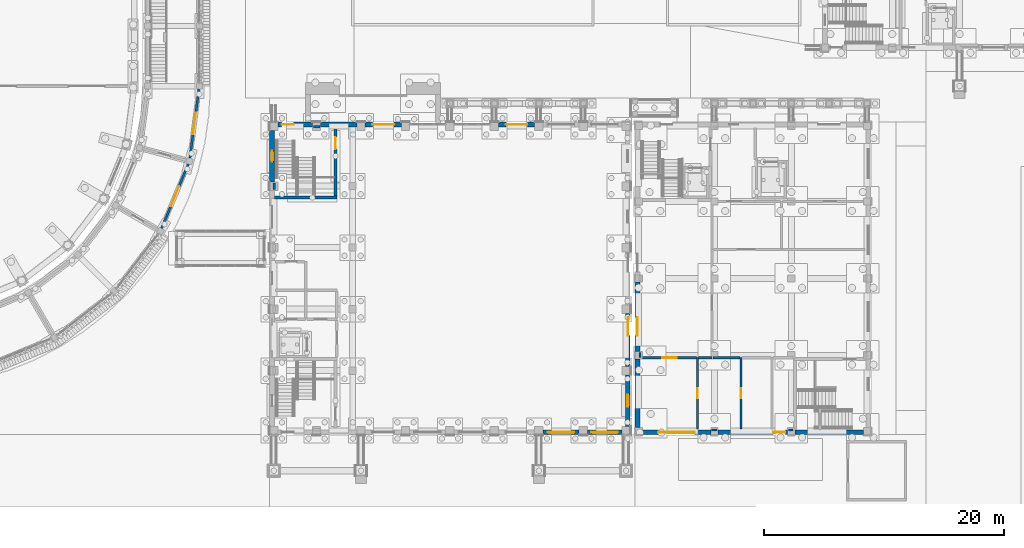
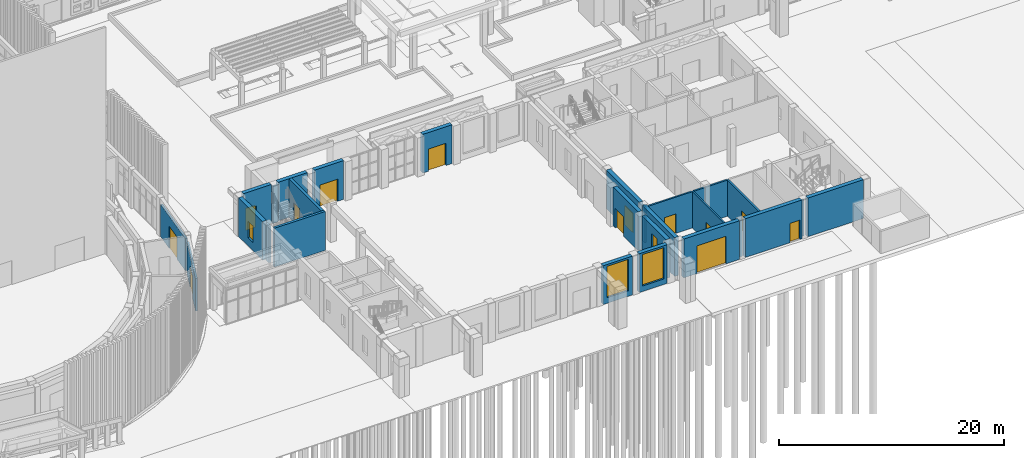
# One storey, part 64 of 112: 28 walls, 13 doors, 4 windows, 17 openings.
"""IFC4 building model written with IfcOpenShell, lengths in metres."""

from ifc_helpers import new_model, si_unit, direction, frame, frame_2d, origin, place, context, subcontext, project, spatial, rectangle, extrude, material, layer, layer_set, type_object, element, fill, save


model = new_model("IFC4")

# Units and contexts
model_context = context("Model", 3, precision=1e-05, world=origin(), true_north=direction((0.0, 1.0)))
body_context = subcontext(model_context, "Body", "Model", "MODEL_VIEW")
ifc_project = project(units=[si_unit("LENGTHUNIT", "METRE"), si_unit("AREAUNIT", "SQUARE_METRE"), si_unit("VOLUMEUNIT", "CUBIC_METRE"), si_unit("PLANEANGLEUNIT", "RADIAN"), si_unit("MASSUNIT", "GRAM", prefix="KILO")], contexts=[model_context])

# Site, building, storey
site_placement = place(None, origin())
site = spatial("IfcSite", under=ifc_project, at=site_placement, CompositionType="ELEMENT")
building_placement = place(site_placement, origin())
building = spatial("IfcBuilding", under=site, at=building_placement, Name="Wasatch Bagh Community Centre", CompositionType="ELEMENT")
storey_placement = place(building_placement, origin())
storey = spatial("IfcBuildingStorey", under=building, at=storey_placement, Name="L00", CompositionType="ELEMENT", Elevation=0.0)

# Wall, opening, door
ifc_material_1 = material(Name="Concrete C40", Category="concrete")
ifc_layer_1 = layer(ifc_material_1, 0.25)
ifc_layer_set_1 = layer_set([ifc_layer_1], Name="Concrete C40")
wall_type_1 = type_object("IfcWallType", Name="DH RC WALL 250 shear", PredefinedType="SHEAR", material=ifc_layer_set_1)
wall_1_placement = place(storey_placement, frame((71.47509765625, 25.85009765625, 0.0), z_axis=(0.0, 0.0, 1.0), x_axis=(0.0, 1.0, 0.0)))
wall_1 = element("IfcWall", 1, at=wall_1_placement, inside=storey, type_object=wall_type_1, Name="DH.core.ST7.L00.E", PredefinedType="SHEAR", context=body_context, shape_type="SweptSolid", body=[
    extrude(rectangle(XDim=5.75, YDim=0.25, at=frame_2d((2.875, 0.0))), origin(), (0.0, 0.0, 1.0), 4.199951171875),
])
opening_1_placement = place(wall_1_placement, frame((3.914306640625, 0.0, 0.0)))
opening_1 = element("IfcOpeningElement", 2, at=opening_1_placement, cuts=wall_1, Name="Opening 0D-15", PredefinedType="OPENING", context=body_context, shape_type="SweptSolid", body=[
    extrude(rectangle(XDim=1.0, YDim=2.10009765625, at=frame_2d((0.5, 1.050048828125))), frame((0.0, 0.135009765625, 0.0), z_axis=(0.0, -1.0, 0.0), x_axis=(1.0, 0.0, 0.0)), (0.0, 0.0, 1.0), 0.27001953125),
])
ifc_material_2 = material(Name="Painted hardwood timber", Category="wood")
door_type_1 = type_object("IfcDoorType", Name="DH door 1000x2100 single", OperationType="SINGLE_SWING_LEFT", PredefinedType="DOOR", material=ifc_material_2)
door_1_placement = place(opening_1_placement, origin())
door_1 = element("IfcDoor", 3, at=door_1_placement, inside=storey, type_object=door_type_1, Name="DH.door.L00.0D-15", OperationType="SINGLE_SWING_LEFT", OverallHeight=2.10009765625, OverallWidth=1.0, PredefinedType="DOOR", context=body_context, shape_type="SweptSolid", body=[
    extrude(rectangle(XDim=1.0, YDim=2.10009765625, at=frame_2d((0.5, 1.050048828125))), frame((0.0, 0.02490234375, 0.0), z_axis=(0.0, -1.0, 0.0), x_axis=(1.0, 0.0, 0.0)), (0.0, 0.0, 1.0), 0.050048828125),
])
fill(opening_1, door_1)

# Wall
wall_2_placement = place(storey_placement, frame((66.39990234375, 25.72509765625, 0.0), z_axis=(0.0, 0.0, 1.0), x_axis=(1.0, 0.0, 0.0)))
element("IfcWall", 4, at=wall_2_placement, inside=storey, type_object=wall_type_1, Name="DH.core.ST7.L00.S", PredefinedType="SHEAR", context=body_context, shape_type="SweptSolid", body=[
    extrude(rectangle(XDim=5.2001953125, YDim=0.25, at=frame_2d((2.60009765625, 0.0))), origin(), (0.0, 0.0, 1.0), 4.199951171875),
])

# Wall, opening, window
ifc_layer_2 = layer(ifc_material_1, 0.39990234375)
ifc_layer_set_2 = layer_set([ifc_layer_2], Name="Concrete C40")
wall_type_2 = type_object("IfcWallType", Name="DH RC WALL 400 solidwall", PredefinedType="SOLIDWALL", material=ifc_layer_set_2)
wall_3_placement = place(storey_placement, frame((91.75, 6.199951171875, 0.0), z_axis=(0.0, 0.0, 1.0), x_axis=(-1.0, 0.0, 0.0)))
wall_3 = element("IfcWall", 5, at=wall_3_placement, inside=storey, type_object=wall_type_2, Name="DH.wall.L00.07", PredefinedType="SOLIDWALL", context=body_context, shape_type="SweptSolid", body=[
    extrude(rectangle(XDim=3.0, YDim=0.39990234375, at=frame_2d((1.5, 0.0))), origin(), (0.0, 0.0, 1.0), 4.199951171875),
])
opening_2_placement = place(wall_3_placement, frame((0.39990234375, 0.0, 0.60009765625)))
opening_2 = element("IfcOpeningElement", 6, at=opening_2_placement, cuts=wall_3, Name="Opening 0D-W03", PredefinedType="OPENING", context=body_context, shape_type="SweptSolid", body=[
    extrude(rectangle(XDim=2.199951171875, YDim=3.39990234375, at=frame_2d((1.10009765625, 1.699951171875))), frame((0.0, 0.2099609375, 0.0), z_axis=(0.0, -1.0, 0.0), x_axis=(1.0, 0.0, 0.0)), (0.0, 0.0, 1.0), 0.419921875),
])
ifc_material_3 = material(Name="Aluminium frame with double glazing", Category="aluminium")
window_type_1 = type_object("IfcWindowType", Name="DH window 2200x3400", PartitioningType="SINGLE_PANEL", PredefinedType="WINDOW", material=ifc_material_3)
window_1_placement = place(opening_2_placement, origin())
window_1 = element("IfcWindow", 7, at=window_1_placement, inside=storey, type_object=window_type_1, Name="DH.window.L00.0D-W03", OverallHeight=3.39990234375, OverallWidth=2.199951171875, PartitioningType="SINGLE_PANEL", PredefinedType="WINDOW", context=body_context, shape_type="SweptSolid", body=[
    extrude(rectangle(XDim=2.199951171875, YDim=3.39990234375, at=frame_2d((1.10009765625, 1.699951171875))), frame((0.0, 0.030029296875, 0.0), z_axis=(0.0, -1.0, 0.0), x_axis=(1.0, 0.0, 0.0)), (0.0, 0.0, 1.0), 0.06005859375),
])
fill(opening_2, window_1)

wall_4_placement = place(storey_placement, frame((95.300048828125, 6.199951171875, 0.0), z_axis=(0.0, 0.0, 1.0), x_axis=(-1.0, 0.0, 0.0)))
wall_4 = element("IfcWall", 8, at=wall_4_placement, inside=storey, type_object=wall_type_2, Name="DH.wall.L00.08", PredefinedType="SOLIDWALL", context=body_context, shape_type="SweptSolid", body=[
    extrude(rectangle(XDim=2.85009765625, YDim=0.39990234375, at=frame_2d((1.425048828125, 0.0))), origin(), (0.0, 0.0, 1.0), 4.199951171875),
])
opening_3_placement = place(wall_4_placement, frame((0.324951171875, 0.0, 0.60009765625)))
opening_3 = element("IfcOpeningElement", 9, at=opening_3_placement, cuts=wall_4, Name="Opening 0D-W04", PredefinedType="OPENING", context=body_context, shape_type="SweptSolid", body=[
    extrude(rectangle(XDim=2.199951171875, YDim=3.39990234375, at=frame_2d((1.10009765625, 1.699951171875))), frame((0.0, 0.2099609375, 0.0), z_axis=(0.0, -1.0, 0.0), x_axis=(1.0, 0.0, 0.0)), (0.0, 0.0, 1.0), 0.419921875),
])
window_2_placement = place(opening_3_placement, origin())
window_2 = element("IfcWindow", 10, at=window_2_placement, inside=storey, type_object=window_type_1, Name="DH.window.L00.0D-W04", OverallHeight=3.39990234375, OverallWidth=2.199951171875, PartitioningType="SINGLE_PANEL", PredefinedType="WINDOW", context=body_context, shape_type="SweptSolid", body=[
    extrude(rectangle(XDim=2.199951171875, YDim=3.39990234375, at=frame_2d((1.10009765625, 1.699951171875))), frame((0.0, 0.030029296875, 0.0), z_axis=(0.0, -1.0, 0.0), x_axis=(1.0, 0.0, 0.0)), (0.0, 0.0, 1.0), 0.06005859375),
])
fill(opening_3, window_2)

# Wall, opening, door
wall_5_placement = place(storey_placement, frame((66.699951171875, 31.800048828125, 0.0), z_axis=(0.0, 0.0, 1.0), x_axis=(1.0, 0.0, 0.0)))
wall_5 = element("IfcWall", 11, at=wall_5_placement, inside=storey, type_object=wall_type_2, Name="DH.wall.L00.09", PredefinedType="SOLIDWALL", context=body_context, shape_type="SweptSolid", body=[
    extrude(rectangle(XDim=2.85009765625, YDim=0.39990234375, at=frame_2d((1.425048828125, 0.0))), origin(), (0.0, 0.0, 1.0), 4.199951171875),
])
opening_4_placement = place(wall_5_placement, frame((0.300048828125, 0.0, 0.0)))
opening_4 = element("IfcOpeningElement", 12, at=opening_4_placement, cuts=wall_5, Name="Opening 0D-06", PredefinedType="OPENING", context=body_context, shape_type="SweptSolid", body=[
    extrude(rectangle(XDim=1.0, YDim=2.39990234375, at=frame_2d((0.5, 1.199951171875))), frame((0.0, 0.2099609375, 0.0), z_axis=(0.0, -1.0, 0.0), x_axis=(1.0, 0.0, 0.0)), (0.0, 0.0, 1.0), 0.419921875),
])
door_type_2 = type_object("IfcDoorType", Name="DH door 1000x2400 single", OperationType="SINGLE_SWING_LEFT", PredefinedType="DOOR", material=ifc_material_2)
door_2_placement = place(opening_4_placement, origin())
door_2 = element("IfcDoor", 13, at=door_2_placement, inside=storey, type_object=door_type_2, Name="DH.door.L00.0D-06", OperationType="SINGLE_SWING_LEFT", OverallHeight=2.39990234375, OverallWidth=1.0, PredefinedType="DOOR", context=body_context, shape_type="SweptSolid", body=[
    extrude(rectangle(XDim=1.0, YDim=2.39990234375, at=frame_2d((0.5, 1.199951171875))), frame((0.0, 0.02490234375, 0.0), z_axis=(0.0, -1.0, 0.0), x_axis=(1.0, 0.0, 0.0)), (0.0, 0.0, 1.0), 0.050048828125),
])
fill(opening_4, door_2)

# Wall
wall_6_placement = place(storey_placement, frame((70.25, 31.800048828125, 0.0), z_axis=(0.0, 0.0, 1.0), x_axis=(1.0, 0.0, 0.0)))
element("IfcWall", 14, at=wall_6_placement, inside=storey, type_object=wall_type_2, Name="DH.wall.L00.10", PredefinedType="SOLIDWALL", context=body_context, shape_type="SweptSolid", body=[
    extrude(rectangle(XDim=3.0, YDim=0.39990234375, at=frame_2d((1.5, 0.0))), origin(), (0.0, 0.0, 1.0), 4.199951171875),
])

# Wall, opening, door
wall_7_placement = place(storey_placement, frame((73.949951171875, 31.800048828125, 0.0), z_axis=(0.0, 0.0, 1.0), x_axis=(1.0, 0.0, 0.0)))
wall_7 = element("IfcWall", 15, at=wall_7_placement, inside=storey, type_object=wall_type_2, Name="DH.wall.L00.11", PredefinedType="SOLIDWALL", context=body_context, shape_type="SweptSolid", body=[
    extrude(rectangle(XDim=3.0, YDim=0.39990234375, at=frame_2d((1.5, 0.0))), origin(), (0.0, 0.0, 1.0), 4.199951171875),
])
opening_5_placement = place(wall_7_placement, frame((0.60009765625, 0.0, 0.0)))
opening_5 = element("IfcOpeningElement", 16, at=opening_5_placement, cuts=wall_7, Name="Opening 0D-04", PredefinedType="OPENING", context=body_context, shape_type="SweptSolid", body=[
    extrude(rectangle(XDim=1.800048828125, YDim=2.39990234375, at=frame_2d((0.89990234375, 1.199951171875))), frame((0.0, 0.2099609375, 0.0), z_axis=(0.0, -1.0, 0.0), x_axis=(1.0, 0.0, 0.0)), (0.0, 0.0, 1.0), 0.419921875),
])
ifc_material_4 = material(Name="Aluminium frame and glass", Category="aluminium")
door_type_3 = type_object("IfcDoorType", Name="DH door 1800x2400 double", OperationType="DOUBLE_DOOR_SINGLE_SWING", PredefinedType="DOOR", material=ifc_material_4)
door_3_placement = place(opening_5_placement, origin())
door_3 = element("IfcDoor", 17, at=door_3_placement, inside=storey, type_object=door_type_3, Name="DH.door.L00.0D-04", OperationType="DOUBLE_DOOR_SINGLE_SWING", OverallHeight=2.39990234375, OverallWidth=1.800048828125, PredefinedType="DOOR", context=body_context, shape_type="SweptSolid", body=[
    extrude(rectangle(XDim=1.800048828125, YDim=2.39990234375, at=frame_2d((0.89990234375, 1.199951171875))), frame((0.0, 0.02490234375, 0.0), z_axis=(0.0, -1.0, 0.0), x_axis=(1.0, 0.0, 0.0)), (0.0, 0.0, 1.0), 0.050048828125),
])
fill(opening_5, door_3)

wall_8_placement = place(storey_placement, frame((85.050048828125, 31.800048828125, 0.0), z_axis=(0.0, 0.0, 1.0), x_axis=(1.0, 0.0, 0.0)))
wall_8 = element("IfcWall", 18, at=wall_8_placement, inside=storey, type_object=wall_type_2, Name="DH.wall.L00.14", PredefinedType="SOLIDWALL", context=body_context, shape_type="SweptSolid", body=[
    extrude(rectangle(XDim=3.0, YDim=0.39990234375, at=frame_2d((1.5, 0.0))), origin(), (0.0, 0.0, 1.0), 4.199951171875),
])
opening_6_placement = place(wall_8_placement, frame((0.60009765625, 0.0, 0.0)))
opening_6 = element("IfcOpeningElement", 19, at=opening_6_placement, cuts=wall_8, Name="Opening 0D-05", PredefinedType="OPENING", context=body_context, shape_type="SweptSolid", body=[
    extrude(rectangle(XDim=1.800048828125, YDim=2.39990234375, at=frame_2d((0.89990234375, 1.199951171875))), frame((0.0, 0.2099609375, 0.0), z_axis=(0.0, -1.0, 0.0), x_axis=(1.0, 0.0, 0.0)), (0.0, 0.0, 1.0), 0.419921875),
])
door_4_placement = place(opening_6_placement, origin())
door_4 = element("IfcDoor", 20, at=door_4_placement, inside=storey, type_object=door_type_3, Name="DH.door.L00.0D-05", OperationType="DOUBLE_DOOR_SINGLE_SWING", OverallHeight=2.39990234375, OverallWidth=1.800048828125, PredefinedType="DOOR", context=body_context, shape_type="SweptSolid", body=[
    extrude(rectangle(XDim=1.800048828125, YDim=2.39990234375, at=frame_2d((0.89990234375, 1.199951171875))), frame((0.0, 0.02490234375, 0.0), z_axis=(0.0, -1.0, 0.0), x_axis=(1.0, 0.0, 0.0)), (0.0, 0.0, 1.0), 0.050048828125),
])
fill(opening_6, door_4)

# Wall, opening, window
wall_9_placement = place(storey_placement, frame((66.199951171875, 27.030029296875, 0.0), z_axis=(0.0, 0.0, 1.0), x_axis=(0.0, 1.0, 0.0)))
wall_9 = element("IfcWall", 21, at=wall_9_placement, inside=storey, type_object=wall_type_2, Name="DH.wall.L00.21", PredefinedType="SOLIDWALL", context=body_context, shape_type="SweptSolid", body=[
    extrude(rectangle(XDim=4.27001953125, YDim=0.39990234375, at=frame_2d((2.135009765625, 0.0))), origin(), (0.0, 0.0, 1.0), 4.199951171875),
])
opening_7_placement = place(wall_9_placement, frame((1.68505859375, 0.0, 0.89990234375)))
opening_7 = element("IfcOpeningElement", 22, at=opening_7_placement, cuts=wall_9, Name="Opening 0D-W11", PredefinedType="OPENING", context=body_context, shape_type="SweptSolid", body=[
    extrude(rectangle(XDim=0.89990234375, YDim=1.800048828125, at=frame_2d((0.449951171875, 0.89990234375))), frame((0.0, 0.2099609375, 0.0), z_axis=(0.0, -1.0, 0.0), x_axis=(1.0, 0.0, 0.0)), (0.0, 0.0, 1.0), 0.419921875),
])
window_type_2 = type_object("IfcWindowType", Name="DH window 900x1800", PartitioningType="SINGLE_PANEL", PredefinedType="WINDOW", material=ifc_material_3)
window_3_placement = place(opening_7_placement, origin())
window_3 = element("IfcWindow", 23, at=window_3_placement, inside=storey, type_object=window_type_2, Name="DH.window.L00.0D-W11", OverallHeight=1.800048828125, OverallWidth=0.89990234375, PartitioningType="SINGLE_PANEL", PredefinedType="WINDOW", context=body_context, shape_type="SweptSolid", body=[
    extrude(rectangle(XDim=0.89990234375, YDim=1.800048828125, at=frame_2d((0.449951171875, 0.89990234375))), frame((0.0, 0.030029296875, 0.0), z_axis=(0.0, -1.0, 0.0), x_axis=(1.0, 0.0, 0.0)), (0.0, 0.0, 1.0), 0.06005859375),
])
fill(opening_7, window_3)

wall_10_placement = place(storey_placement, frame((95.800048828125, 6.699951171875, 0.0), z_axis=(0.0, 0.0, 1.0), x_axis=(0.0, 1.0, 0.0)))
wall_10 = element("IfcWall", 24, at=wall_10_placement, inside=storey, type_object=wall_type_2, Name="DH.wall.L00.22", PredefinedType="SOLIDWALL", context=body_context, shape_type="SweptSolid", body=[
    extrude(rectangle(XDim=4.27001953125, YDim=0.39990234375, at=frame_2d((2.135009765625, 0.0))), origin(), (0.0, 0.0, 1.0), 4.199951171875),
])
opening_8_placement = place(wall_10_placement, frame((1.635009765625, 0.0, 0.89990234375)))
opening_8 = element("IfcOpeningElement", 25, at=opening_8_placement, cuts=wall_10, Name="Opening 0D-W12", PredefinedType="OPENING", context=body_context, shape_type="SweptSolid", body=[
    extrude(rectangle(XDim=1.0, YDim=2.39990234375, at=frame_2d((0.5, 1.199951171875))), frame((0.0, 0.2099609375, 0.0), z_axis=(0.0, -1.0, 0.0), x_axis=(1.0, 0.0, 0.0)), (0.0, 0.0, 1.0), 0.419921875),
])
window_type_3 = type_object("IfcWindowType", Name="DH window 1000x2400", PartitioningType="SINGLE_PANEL", PredefinedType="WINDOW", material=ifc_material_3)
window_4_placement = place(opening_8_placement, origin())
window_4 = element("IfcWindow", 26, at=window_4_placement, inside=storey, type_object=window_type_3, Name="DH.window.L00.0D-W12", OverallHeight=2.39990234375, OverallWidth=1.0, PartitioningType="SINGLE_PANEL", PredefinedType="WINDOW", context=body_context, shape_type="SweptSolid", body=[
    extrude(rectangle(XDim=1.0, YDim=2.39990234375, at=frame_2d((0.5, 1.199951171875))), frame((0.0, 0.030029296875, 0.0), z_axis=(0.0, -1.0, 0.0), x_axis=(1.0, 0.0, 0.0)), (0.0, 0.0, 1.0), 0.06005859375),
])
fill(opening_8, window_4)

# Wall, opening, door
wall_11_placement = place(storey_placement, frame((95.800048828125, 11.669921875, 0.0), z_axis=(0.0, 0.0, 1.0), x_axis=(0.0, 1.0, 0.0)))
wall_11 = element("IfcWall", 27, at=wall_11_placement, inside=storey, type_object=wall_type_2, Name="DH.wall.L00.23", PredefinedType="SOLIDWALL", context=body_context, shape_type="SweptSolid", body=[
    extrude(rectangle(XDim=4.420166015625, YDim=0.39990234375, at=frame_2d((2.2099609375, 0.0))), origin(), (0.0, 0.0, 1.0), 4.199951171875),
])
opening_9_placement = place(wall_11_placement, frame((2.580078125, 0.0, 0.0)))
opening_9 = element("IfcOpeningElement", 28, at=opening_9_placement, cuts=wall_11, Name="Opening 0D-08", PredefinedType="OPENING", context=body_context, shape_type="SweptSolid", body=[
    extrude(rectangle(XDim=1.5, YDim=2.10009765625, at=frame_2d((0.75, 1.050048828125))), frame((0.0, 0.2099609375, 0.0), z_axis=(0.0, -1.0, 0.0), x_axis=(1.0, 0.0, 0.0)), (0.0, 0.0, 1.0), 0.419921875),
])
door_type_4 = type_object("IfcDoorType", Name="DH door 1500x2100 double", OperationType="DOUBLE_DOOR_SINGLE_SWING", PredefinedType="DOOR", material=ifc_material_4)
door_5_placement = place(opening_9_placement, origin())
door_5 = element("IfcDoor", 29, at=door_5_placement, inside=storey, type_object=door_type_4, Name="DH.door.L00.0D-08", OperationType="DOUBLE_DOOR_SINGLE_SWING", OverallHeight=2.10009765625, OverallWidth=1.5, PredefinedType="DOOR", context=body_context, shape_type="SweptSolid", body=[
    extrude(rectangle(XDim=1.5, YDim=2.10009765625, at=frame_2d((0.75, 1.050048828125))), frame((0.0, 0.02490234375, 0.0), z_axis=(0.0, -1.0, 0.0), x_axis=(1.0, 0.0, 0.0)), (0.0, 0.0, 1.0), 0.050048828125),
])
fill(opening_9, door_5)

# Walls
ifc_material_5 = material(Name="Hollow block masonry, medium weight (ASTM Grade N)", Category="masonry")
ifc_layer_3 = layer(ifc_material_5, 0.2099609375)
ifc_layer_set_3 = layer_set([ifc_layer_3], Name="Hollow block masonry, medium weight (ASTM Grade N)")
wall_type_3 = type_object("IfcWallType", Name="DH partition 210", PredefinedType="PARTITIONING", material=ifc_layer_set_3)
for number, where, z_axis, x_axis, name in (
    (30, (66.39990234375, 26.949951171875, 0.0), (0.0, 0.0, 1.0), (0.0, -1.0, 0.0), "DH.part.L00.004"),
    (31, (70.169921875, 31.60009765625, 0.0), (0.0, 0.0, 1.0), (-1.0, 0.0, 0.0), "DH.part.L00.013"),
):
    element("IfcWall", number, at=place(storey_placement, frame(where, z_axis=z_axis, x_axis=x_axis)), inside=storey, type_object=wall_type_3, Name=name, PredefinedType="PARTITIONING", context=body_context, shape_type="SweptSolid", body=[
        extrude(rectangle(XDim=0.5400390625, YDim=0.2099609375, at=frame_2d((0.27001953125, 0.0))), origin(), (0.0, 0.0, 1.0), 3.97998046875),
    ])

# Wall, opening, door
ifc_layer_4 = layer(ifc_material_1, 0.199951171875)
ifc_layer_set_4 = layer_set([ifc_layer_4], Name="Concrete C40")
wall_type_4 = type_object("IfcWallType", Name="Drum entrance bay wall RC WALL 200", PredefinedType="STANDARD", material=ifc_layer_set_4)
wall_12_placement = place(storey_placement, frame((57.016357421875, 23.170654296875, 0.0), z_axis=(0.0, 0.0, 1.0), x_axis=(0.382665553446, 0.923886938, 0.0)))
wall_12 = element("IfcWall", 32, at=wall_12_placement, inside=storey, type_object=wall_type_4, Name="Entrance bay wall 11", PredefinedType="STANDARD", context=body_context, shape_type="SweptSolid", body=[
    extrude(rectangle(XDim=5.772705078125, YDim=0.199951171875, at=frame_2d((2.88623046875, 0.0))), origin(), (0.0, 0.0, 1.0), 3.5),
])
opening_10_placement = place(wall_12_placement, frame((1.986328125, 0.0, 0.0)))
opening_10 = element("IfcOpeningElement", 33, at=opening_10_placement, cuts=wall_12, Name="Opening 0F-04", PredefinedType="OPENING", context=body_context, shape_type="SweptSolid", body=[
    extrude(rectangle(XDim=1.800048828125, YDim=2.39990234375, at=frame_2d((0.89990234375, 1.199951171875))), frame((0.0, 0.10986328125, 0.0), z_axis=(0.0, -1.0, 0.0), x_axis=(1.0, 0.0, 0.0)), (0.0, 0.0, 1.0), 0.219970703125),
])
ifc_material_6 = material(Name="Aluminium framed door with low-iron insulated glass", Category="aluminium")
door_type_5 = type_object("IfcDoorType", Name="Drum exit door pair 1800 x 2400", OperationType="DOUBLE_DOOR_DOUBLE_SWING", PredefinedType="DOOR", material=ifc_material_6)
door_6_placement = place(opening_10_placement, origin())
door_6 = element("IfcDoor", 34, at=door_6_placement, inside=storey, type_object=door_type_5, Name="Door 0F-04", OperationType="DOUBLE_DOOR_DOUBLE_SWING", OverallHeight=2.39990234375, OverallWidth=1.800048828125, PredefinedType="DOOR", context=body_context, shape_type="SweptSolid", body=[
    extrude(rectangle(XDim=1.800048828125, YDim=2.39990234375, at=frame_2d((0.89990234375, 1.199951171875))), frame((0.0, 0.02490234375, 0.0), z_axis=(0.0, -1.0, 0.0), x_axis=(1.0, 0.0, 0.0)), (0.0, 0.0, 1.0), 0.050048828125),
])
fill(opening_10, door_6)

wall_13_placement = place(storey_placement, frame((59.36181640625, 29.01318359375, 0.0), z_axis=(0.0, 0.0, 1.0), x_axis=(0.130512494435, 0.991446664625, 0.0)))
wall_13 = element("IfcWall", 35, at=wall_13_placement, inside=storey, type_object=wall_type_4, Name="Entrance bay wall 12", PredefinedType="STANDARD", context=body_context, shape_type="SweptSolid", body=[
    extrude(rectangle(XDim=5.772705078125, YDim=0.199951171875, at=frame_2d((2.88623046875, 0.0))), origin(), (0.0, 0.0, 1.0), 3.5),
])
opening_11_placement = place(wall_13_placement, frame((1.986328125, 0.0, 0.0)))
opening_11 = element("IfcOpeningElement", 36, at=opening_11_placement, cuts=wall_13, Name="Opening 0F-05", PredefinedType="OPENING", context=body_context, shape_type="SweptSolid", body=[
    extrude(rectangle(XDim=1.800048828125, YDim=2.39990234375, at=frame_2d((0.89990234375, 1.199951171875))), frame((0.0, 0.10986328125, 0.0), z_axis=(0.0, -1.0, 0.0), x_axis=(1.0, 0.0, 0.0)), (0.0, 0.0, 1.0), 0.219970703125),
])
door_7_placement = place(opening_11_placement, origin())
door_7 = element("IfcDoor", 37, at=door_7_placement, inside=storey, type_object=door_type_5, Name="Door 0F-05", OperationType="DOUBLE_DOOR_DOUBLE_SWING", OverallHeight=2.39990234375, OverallWidth=1.800048828125, PredefinedType="DOOR", context=body_context, shape_type="SweptSolid", body=[
    extrude(rectangle(XDim=1.800048828125, YDim=2.39990234375, at=frame_2d((0.89990234375, 1.199951171875))), frame((0.0, 0.02490234375, 0.0), z_axis=(0.0, -1.0, 0.0), x_axis=(1.0, 0.0, 0.0)), (0.0, 0.0, 1.0), 0.050048828125),
])
fill(opening_11, door_7)

ifc_layer_5 = layer(ifc_material_1, 0.39990234375)
ifc_layer_set_5 = layer_set([ifc_layer_5], Name="Concrete C40")
wall_type_5 = type_object("IfcWallType", Name="KW RC WALL 400 solidwall", PredefinedType="SOLIDWALL", material=ifc_layer_set_5)
wall_14_placement = place(storey_placement, frame((97.0, 6.199951171875, 0.0), z_axis=(0.0, 0.0, 1.0), x_axis=(1.0, 0.0, 0.0)))
wall_14 = element("IfcWall", 38, at=wall_14_placement, inside=storey, type_object=wall_type_5, Name="KW.wall.L00.01", PredefinedType="SOLIDWALL", context=body_context, shape_type="SweptSolid", body=[
    extrude(rectangle(XDim=5.699951171875, YDim=0.39990234375, at=frame_2d((2.85009765625, 0.0))), origin(), (0.0, 0.0, 1.0), 4.199951171875),
])
opening_12_placement = place(wall_14_placement, frame((1.35009765625, 0.0, 0.0)))
opening_12 = element("IfcOpeningElement", 39, at=opening_12_placement, cuts=wall_14, Name="Opening 0K-01", PredefinedType="OPENING", context=body_context, shape_type="SweptSolid", body=[
    extrude(rectangle(XDim=3.0, YDim=3.0, at=frame_2d((1.5, 1.5))), frame((0.0, 0.2099609375, 0.0), z_axis=(0.0, -1.0, 0.0), x_axis=(1.0, 0.0, 0.0)), (0.0, 0.0, 1.0), 0.419921875),
])
ifc_material_7 = material(Name="Galvanised steel", Category="steel")
door_type_6 = type_object("IfcDoorType", Name="KW door 3000x3000 roller", OperationType="ROLLINGUP", PredefinedType="DOOR", material=ifc_material_7)
door_8_placement = place(opening_12_placement, origin())
door_8 = element("IfcDoor", 40, at=door_8_placement, inside=storey, type_object=door_type_6, Name="KW.door.L00.0K-01", OperationType="ROLLINGUP", OverallHeight=3.0, OverallWidth=3.0, PredefinedType="DOOR", context=body_context, shape_type="SweptSolid", body=[
    extrude(rectangle(XDim=3.0, YDim=3.0, at=frame_2d((1.5, 1.5))), frame((0.0, 0.02490234375, 0.0), z_axis=(0.0, -1.0, 0.0), x_axis=(1.0, 0.0, 0.0)), (0.0, 0.0, 1.0), 0.050048828125),
])
fill(opening_12, door_8)

wall_15_placement = place(storey_placement, frame((103.300048828125, 6.199951171875, 0.0), z_axis=(0.0, 0.0, 1.0), x_axis=(1.0, 0.0, 0.0)))
wall_15 = element("IfcWall", 41, at=wall_15_placement, inside=storey, type_object=wall_type_5, Name="KW.wall.L00.02", PredefinedType="SOLIDWALL", context=body_context, shape_type="SweptSolid", body=[
    extrude(rectangle(XDim=5.800048828125, YDim=0.39990234375, at=frame_2d((2.89990234375, 0.0))), origin(), (0.0, 0.0, 1.0), 4.199951171875),
])
opening_13_placement = place(wall_15_placement, frame((4.60009765625, 0.0, 0.0)))
opening_13 = element("IfcOpeningElement", 42, at=opening_13_placement, cuts=wall_15, Name="Opening 0K-05", PredefinedType="OPENING", context=body_context, shape_type="SweptSolid", body=[
    extrude(rectangle(XDim=1.0, YDim=2.10009765625, at=frame_2d((0.5, 1.050048828125))), frame((0.0, 0.2099609375, 0.0), z_axis=(0.0, -1.0, 0.0), x_axis=(1.0, 0.0, 0.0)), (0.0, 0.0, 1.0), 0.419921875),
])
door_type_7 = type_object("IfcDoorType", Name="KW door 1000x2100 single", OperationType="SINGLE_SWING_LEFT", PredefinedType="DOOR", material=ifc_material_2)
door_9_placement = place(opening_13_placement, origin())
door_9 = element("IfcDoor", 43, at=door_9_placement, inside=storey, type_object=door_type_7, Name="KW.door.L00.0K-05", OperationType="SINGLE_SWING_LEFT", OverallHeight=2.10009765625, OverallWidth=1.0, PredefinedType="DOOR", context=body_context, shape_type="SweptSolid", body=[
    extrude(rectangle(XDim=1.0, YDim=2.10009765625, at=frame_2d((0.5, 1.050048828125))), frame((0.0, 0.02490234375, 0.0), z_axis=(0.0, -1.0, 0.0), x_axis=(1.0, 0.0, 0.0)), (0.0, 0.0, 1.0), 0.050048828125),
])
fill(opening_13, door_9)

# Walls
for number, where, z_axis, x_axis, name in (
    (44, (109.699951171875, 6.199951171875, 0.0), (0.0, 0.0, 1.0), (1.0, 0.0, 0.0), "KW.wall.L00.03"),
    (45, (96.60009765625, 12.300048828125, 0.0), (0.0, 0.0, 1.0), (0.0, -1.0, 0.0), "KW.wall.L00.07"),
):
    element("IfcWall", number, at=place(storey_placement, frame(where, z_axis=z_axis, x_axis=x_axis)), inside=storey, type_object=wall_type_5, Name=name, PredefinedType="SOLIDWALL", context=body_context, shape_type="SweptSolid", body=[
        extrude(rectangle(XDim=5.699951171875, YDim=0.39990234375, at=frame_2d((2.85009765625, 0.0))), origin(), (0.0, 0.0, 1.0), 4.199951171875),
    ])

# Wall, opening, door
wall_16_placement = place(storey_placement, frame((96.60009765625, 18.699951171875, 0.0), z_axis=(0.0, 0.0, 1.0), x_axis=(0.0, -1.0, 0.0)))
wall_16 = element("IfcWall", 46, at=wall_16_placement, inside=storey, type_object=wall_type_5, Name="KW.wall.L00.08", PredefinedType="SOLIDWALL", context=body_context, shape_type="SweptSolid", body=[
    extrude(rectangle(XDim=5.800048828125, YDim=0.39990234375, at=frame_2d((2.89990234375, 0.0))), origin(), (0.0, 0.0, 1.0), 4.199951171875),
])
opening_14_placement = place(wall_16_placement, frame((2.949951171875, 0.0, 0.0)))
opening_14 = element("IfcOpeningElement", 47, at=opening_14_placement, cuts=wall_16, Name="Opening 0K-06", PredefinedType="OPENING", context=body_context, shape_type="SweptSolid", body=[
    extrude(rectangle(XDim=1.5, YDim=2.10009765625, at=frame_2d((0.75, 1.050048828125))), frame((0.0, 0.2099609375, 0.0), z_axis=(0.0, -1.0, 0.0), x_axis=(1.0, 0.0, 0.0)), (0.0, 0.0, 1.0), 0.419921875),
])
door_type_8 = type_object("IfcDoorType", Name="KW door 1500x2100 double", OperationType="DOUBLE_DOOR_SINGLE_SWING", PredefinedType="DOOR", material=ifc_material_4)
door_10_placement = place(opening_14_placement, origin())
door_10 = element("IfcDoor", 48, at=door_10_placement, inside=storey, type_object=door_type_8, Name="KW.door.L00.0K-06", OperationType="DOUBLE_DOOR_SINGLE_SWING", OverallHeight=2.10009765625, OverallWidth=1.5, PredefinedType="DOOR", context=body_context, shape_type="SweptSolid", body=[
    extrude(rectangle(XDim=1.5, YDim=2.10009765625, at=frame_2d((0.75, 1.050048828125))), frame((0.0, 0.02490234375, 0.0), z_axis=(0.0, -1.0, 0.0), x_axis=(1.0, 0.0, 0.0)), (0.0, 0.0, 1.0), 0.050048828125),
])
fill(opening_14, door_10)

# Wall
ifc_layer_6 = layer(ifc_material_5, 0.169921875)
ifc_layer_set_6 = layer_set([ifc_layer_6], Name="Hollow block masonry, medium weight (ASTM Grade N)")
wall_type_6 = type_object("IfcWallType", Name="KW partition 170", PredefinedType="PARTITIONING", material=ifc_layer_set_6)
wall_17_placement = place(storey_placement, frame((96.800048828125, 12.820068359375, 0.0), z_axis=(0.0, 0.0, 1.0), x_axis=(0.0, -1.0, 0.0)))
element("IfcWall", 49, at=wall_17_placement, inside=storey, type_object=wall_type_6, Name="KW.part.L00.001", PredefinedType="PARTITIONING", context=body_context, shape_type="SweptSolid", body=[
    extrude(rectangle(XDim=0.420166015625, YDim=0.169921875, at=frame_2d((0.2099609375, 0.0))), origin(), (0.0, 0.0, 1.0), 3.919921875),
])

# Wall, opening, door
wall_18_placement = place(storey_placement, frame((101.514892578125, 12.39990234375, 0.0), z_axis=(0.0, 0.0, 1.0), x_axis=(-1.0, 0.0, 0.0)))
wall_18 = element("IfcWall", 50, at=wall_18_placement, inside=storey, type_object=wall_type_6, Name="KW.part.L00.003", PredefinedType="PARTITIONING", context=body_context, shape_type="SweptSolid", body=[
    extrude(rectangle(XDim=4.6298828125, YDim=0.169921875, at=frame_2d((2.31494140625, 0.0))), origin(), (0.0, 0.0, 1.0), 3.919921875),
])
opening_15_placement = place(wall_18_placement, frame((1.6650390625, 0.0, 0.0)))
opening_15 = element("IfcOpeningElement", 51, at=opening_15_placement, cuts=wall_18, Name="Opening 0K-10", PredefinedType="OPENING", context=body_context, shape_type="SweptSolid", body=[
    extrude(rectangle(XDim=1.199951171875, YDim=2.10009765625, at=frame_2d((0.60009765625, 1.050048828125))), frame((0.0, 0.094970703125, 0.0), z_axis=(0.0, -1.0, 0.0), x_axis=(1.0, 0.0, 0.0)), (0.0, 0.0, 1.0), 0.18994140625),
])
door_type_9 = type_object("IfcDoorType", Name="KW door 1200x2100 single", OperationType="SINGLE_SWING_LEFT", PredefinedType="DOOR", material=ifc_material_2)
door_11_placement = place(opening_15_placement, origin())
door_11 = element("IfcDoor", 52, at=door_11_placement, inside=storey, type_object=door_type_9, Name="KW.door.L00.0K-10", OperationType="SINGLE_SWING_LEFT", OverallHeight=2.10009765625, OverallWidth=1.199951171875, PredefinedType="DOOR", context=body_context, shape_type="SweptSolid", body=[
    extrude(rectangle(XDim=1.199951171875, YDim=2.10009765625, at=frame_2d((0.60009765625, 1.050048828125))), frame((0.0, 0.02490234375, 0.0), z_axis=(0.0, -1.0, 0.0), x_axis=(1.0, 0.0, 0.0)), (0.0, 0.0, 1.0), 0.050048828125),
])
fill(opening_15, door_11)

wall_19_placement = place(storey_placement, frame((101.60009765625, 6.47998046875, 0.0), z_axis=(0.0, 0.0, 1.0), x_axis=(0.0, 1.0, 0.0)))
wall_19 = element("IfcWall", 53, at=wall_19_placement, inside=storey, type_object=wall_type_6, Name="KW.part.L00.004", PredefinedType="PARTITIONING", context=body_context, shape_type="SweptSolid", body=[
    extrude(rectangle(XDim=5.919921875, YDim=0.169921875, at=frame_2d((2.9599609375, 0.0))), origin(), (0.0, 0.0, 1.0), 3.919921875),
])
opening_16_placement = place(wall_19_placement, frame((2.570068359375, 0.0, 0.0)))
opening_16 = element("IfcOpeningElement", 54, at=opening_16_placement, cuts=wall_19, Name="Opening 0K-11", PredefinedType="OPENING", context=body_context, shape_type="SweptSolid", body=[
    extrude(rectangle(XDim=0.800048828125, YDim=2.10009765625, at=frame_2d((0.39990234375, 1.050048828125))), frame((0.0, 0.094970703125, 0.0), z_axis=(0.0, -1.0, 0.0), x_axis=(1.0, 0.0, 0.0)), (0.0, 0.0, 1.0), 0.18994140625),
])
door_type_10 = type_object("IfcDoorType", Name="KW door 800x2100 single", OperationType="SINGLE_SWING_LEFT", PredefinedType="DOOR", material=ifc_material_2)
door_12_placement = place(opening_16_placement, origin())
door_12 = element("IfcDoor", 55, at=door_12_placement, inside=storey, type_object=door_type_10, Name="KW.door.L00.0K-11", OperationType="SINGLE_SWING_LEFT", OverallHeight=2.10009765625, OverallWidth=0.800048828125, PredefinedType="DOOR", context=body_context, shape_type="SweptSolid", body=[
    extrude(rectangle(XDim=0.800048828125, YDim=2.10009765625, at=frame_2d((0.39990234375, 1.050048828125))), frame((0.0, 0.02490234375, 0.0), z_axis=(0.0, -1.0, 0.0), x_axis=(1.0, 0.0, 0.0)), (0.0, 0.0, 1.0), 0.050048828125),
])
fill(opening_16, door_12)

# Walls
wall_20_placement = place(storey_placement, frame((102.780029296875, 6.39990234375, 0.0), z_axis=(0.0, 0.0, 1.0), x_axis=(1.0, 0.0, 0.0)))
element("IfcWall", 56, at=wall_20_placement, inside=storey, type_object=wall_type_6, Name="KW.part.L00.005", PredefinedType="PARTITIONING", context=body_context, shape_type="SweptSolid", body=[
    extrude(rectangle(XDim=0.43994140625, YDim=0.169921875, at=frame_2d((0.219970703125, 0.0))), origin(), (0.0, 0.0, 1.0), 3.919921875),
])
wall_21_placement = place(storey_placement, frame((102.800048828125, 12.39990234375, 0.0), z_axis=(0.0, 0.0, 1.0), x_axis=(-1.0, 0.0, 0.0)))
element("IfcWall", 57, at=wall_21_placement, inside=storey, type_object=wall_type_6, Name="KW.part.L00.006", PredefinedType="PARTITIONING", context=body_context, shape_type="SweptSolid", body=[
    extrude(rectangle(XDim=1.114990234375, YDim=0.169921875, at=frame_2d((0.5576171875, 0.0))), origin(), (0.0, 0.0, 1.0), 3.919921875),
])
wall_22_placement = place(storey_placement, frame((105.114990234375, 12.39990234375, 0.0), z_axis=(0.0, 0.0, 1.0), x_axis=(-1.0, 0.0, 0.0)))
element("IfcWall", 58, at=wall_22_placement, inside=storey, type_object=wall_type_6, Name="KW.part.L00.010", PredefinedType="PARTITIONING", context=body_context, shape_type="SweptSolid", body=[
    extrude(rectangle(XDim=2.22998046875, YDim=0.169921875, at=frame_2d((1.114990234375, 0.0))), origin(), (0.0, 0.0, 1.0), 3.919921875),
])

# Wall, opening, door
wall_23_placement = place(storey_placement, frame((105.199951171875, 6.47998046875, 0.0), z_axis=(0.0, 0.0, 1.0), x_axis=(0.0, 1.0, 0.0)))
wall_23 = element("IfcWall", 59, at=wall_23_placement, inside=storey, type_object=wall_type_6, Name="KW.part.L00.011", PredefinedType="PARTITIONING", context=body_context, shape_type="SweptSolid", body=[
    extrude(rectangle(XDim=5.919921875, YDim=0.169921875, at=frame_2d((2.9599609375, 0.0))), origin(), (0.0, 0.0, 1.0), 3.919921875),
])
opening_17_placement = place(wall_23_placement, frame((2.570068359375, 0.0, 0.0)))
opening_17 = element("IfcOpeningElement", 60, at=opening_17_placement, cuts=wall_23, Name="Opening 0K-12", PredefinedType="OPENING", context=body_context, shape_type="SweptSolid", body=[
    extrude(rectangle(XDim=0.800048828125, YDim=2.10009765625, at=frame_2d((0.39990234375, 1.050048828125))), frame((0.0, 0.094970703125, 0.0), z_axis=(0.0, -1.0, 0.0), x_axis=(1.0, 0.0, 0.0)), (0.0, 0.0, 1.0), 0.18994140625),
])
door_13_placement = place(opening_17_placement, origin())
door_13 = element("IfcDoor", 61, at=door_13_placement, inside=storey, type_object=door_type_10, Name="KW.door.L00.0K-12", OperationType="SINGLE_SWING_LEFT", OverallHeight=2.10009765625, OverallWidth=0.800048828125, PredefinedType="DOOR", context=body_context, shape_type="SweptSolid", body=[
    extrude(rectangle(XDim=0.800048828125, YDim=2.10009765625, at=frame_2d((0.39990234375, 1.050048828125))), frame((0.0, 0.02490234375, 0.0), z_axis=(0.0, -1.0, 0.0), x_axis=(1.0, 0.0, 0.0)), (0.0, 0.0, 1.0), 0.050048828125),
])
fill(opening_17, door_13)

# Wall
wall_24_placement = place(storey_placement, frame((109.179931640625, 6.39990234375, 0.0), z_axis=(0.0, 0.0, 1.0), x_axis=(1.0, 0.0, 0.0)))
element("IfcWall", 62, at=wall_24_placement, inside=storey, type_object=wall_type_6, Name="KW.part.L00.019", PredefinedType="PARTITIONING", context=body_context, shape_type="SweptSolid", body=[
    extrude(rectangle(XDim=0.340087890625, YDim=0.169921875, at=frame_2d((0.169921875, 0.0))), origin(), (0.0, 0.0, 1.0), 3.919921875),
])

save(model, "model.ifc")
